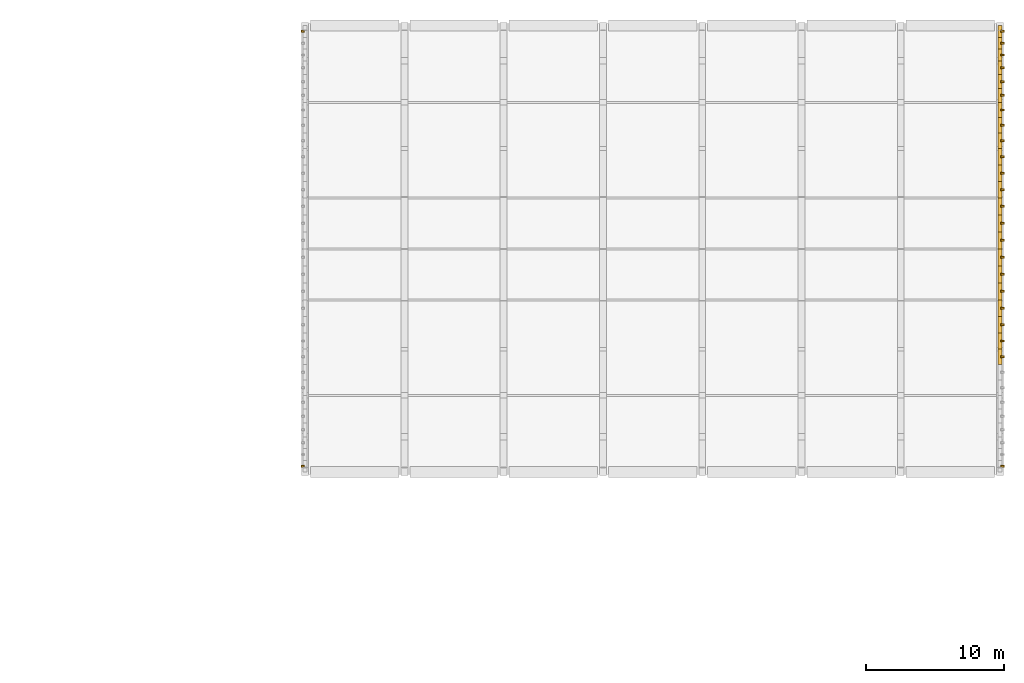
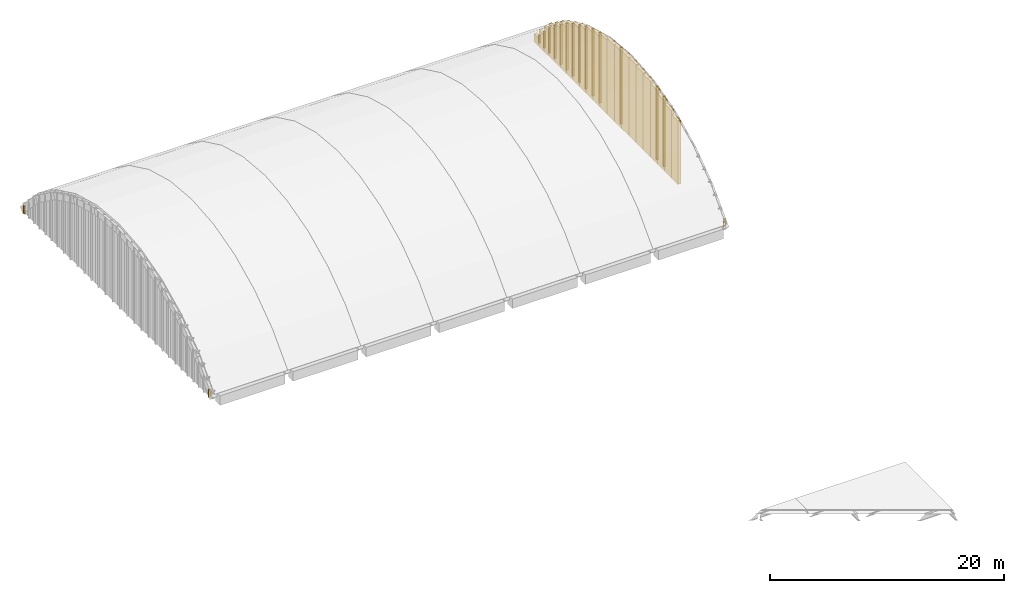
# One storey, part 16 of 16: 47 coverings.
"""IFC4 building model written with IfcOpenShell, lengths in metres."""

from ifc_helpers import new_model, si_unit, direction, frame, frame_2d, origin, origin_2d, place, context, subcontext, project, spatial, rectangle, extrude, material, layer, layer_set, type_object, element, save


model = new_model("IFC4")

# Units and contexts
model_context = context("Model", 3, precision=1e-05, world=origin(), true_north=direction((0.0, 1.0)))
body_context = subcontext(model_context, "Body", "Model", "MODEL_VIEW")
ifc_project = project(units=[si_unit("LENGTHUNIT", "METRE"), si_unit("AREAUNIT", "SQUARE_METRE"), si_unit("VOLUMEUNIT", "CUBIC_METRE"), si_unit("PLANEANGLEUNIT", "RADIAN"), si_unit("MASSUNIT", "GRAM", prefix="KILO")], contexts=[model_context])

# Site, building, storey
site_placement = place(None, origin())
site = spatial("IfcSite", under=ifc_project, at=site_placement, CompositionType="ELEMENT")
building_placement = place(site_placement, origin())
building = spatial("IfcBuilding", under=site, at=building_placement, Name="Sardonyx Promenade Sports Hall", CompositionType="ELEMENT")
storey_placement = place(building_placement, frame((0.0, 0.0, 24.800048828125)))
storey = spatial("IfcBuildingStorey", under=building, at=storey_placement, Name="RF", CompositionType="ELEMENT", Elevation=24.800048828125)

# Coverings
ifc_material_1 = material(Name="Glulam GL28h", Category="wood")
ifc_layer_1 = layer(ifc_material_1, 0.110107421875)
ifc_layer_set_1 = layer_set([ifc_layer_1], Name="Cov_Louvre_GL28h")
covering_type_1 = type_object("IfcCoveringType", Name="Cov_Louvre_GL28h", PredefinedType="MOLDING", material=ifc_layer_set_1)
for number, where, z_axis, x_axis, name in (
    (1, (28.6201171875, 72.427978515625, -4.419921875), (0.0, 0.0, 1.0), (1.0, 0.0, 0.0), "Tympanum vertical stone mullion V1-W #1"),
    (2, (28.6201171875, 103.97216796875, -4.419921875), (0.0, 0.0, 1.0), (1.0, 0.0, 0.0), "Tympanum vertical stone mullion V1-W #30"),
    (3, (79.3798828125, 72.427978515625, -4.419921875), (0.0, 0.0, 1.0), (1.0, 0.0, 0.0), "Tympanum vertical stone mullion V1-E #1"),
):
    element("IfcCovering", number, at=place(storey_placement, frame(where, z_axis=z_axis, x_axis=x_axis)), inside=storey, type_object=covering_type_1, Name=name, PredefinedType="MOLDING", context=body_context, shape_type="SweptSolid", body=[
        extrude(rectangle(XDim=0.219970703125, YDim=0.139892578125, at=origin_2d()), origin(), (0.0, 0.0, 1.0), 0.827392578125),
    ])
covering_1_placement = place(storey_placement, frame((79.3798828125, 80.36181640625, -4.419921875), z_axis=(0.0, 0.0, 1.0), x_axis=(1.0, 0.0, 0.0)))
element("IfcCovering", 4, at=covering_1_placement, inside=storey, type_object=covering_type_1, Name="Tympanum vertical stone mullion V1-E #9", PredefinedType="MOLDING", context=body_context, shape_type="SweptSolid", body=[
    extrude(rectangle(XDim=0.219970703125, YDim=0.139892578125, at=origin_2d()), origin(), (0.0, 0.0, 1.0), 6.590576171875),
])
covering_2_placement = place(storey_placement, frame((79.3798828125, 81.516357421875, -4.419921875), z_axis=(0.0, 0.0, 1.0), x_axis=(1.0, 0.0, 0.0)))
element("IfcCovering", 5, at=covering_2_placement, inside=storey, type_object=covering_type_1, Name="Tympanum vertical stone mullion V1-E #10", PredefinedType="MOLDING", context=body_context, shape_type="SweptSolid", body=[
    extrude(rectangle(XDim=0.219970703125, YDim=0.139892578125, at=origin_2d()), origin(), (0.0, 0.0, 1.0), 7.023681640625),
])
covering_3_placement = place(storey_placement, frame((79.3798828125, 82.7099609375, -4.419921875), z_axis=(0.0, 0.0, 1.0), x_axis=(1.0, 0.0, 0.0)))
element("IfcCovering", 6, at=covering_3_placement, inside=storey, type_object=covering_type_1, Name="Tympanum vertical stone mullion V1-E #11", PredefinedType="MOLDING", context=body_context, shape_type="SweptSolid", body=[
    extrude(rectangle(XDim=0.219970703125, YDim=0.139892578125, at=origin_2d()), origin(), (0.0, 0.0, 1.0), 7.35302734375),
])
covering_4_placement = place(storey_placement, frame((79.3798828125, 83.903564453125, -4.419921875), z_axis=(0.0, 0.0, 1.0), x_axis=(1.0, 0.0, 0.0)))
element("IfcCovering", 7, at=covering_4_placement, inside=storey, type_object=covering_type_1, Name="Tympanum vertical stone mullion V1-E #12", PredefinedType="MOLDING", context=body_context, shape_type="SweptSolid", body=[
    extrude(rectangle(XDim=0.219970703125, YDim=0.139892578125, at=origin_2d()), origin(), (0.0, 0.0, 1.0), 7.682373046875),
])
covering_5_placement = place(storey_placement, frame((79.3798828125, 85.116943359375, -4.419921875), z_axis=(0.0, 0.0, 1.0), x_axis=(1.0, 0.0, 0.0)))
element("IfcCovering", 8, at=covering_5_placement, inside=storey, type_object=covering_type_1, Name="Tympanum vertical stone mullion V1-E #13", PredefinedType="MOLDING", context=body_context, shape_type="SweptSolid", body=[
    extrude(rectangle(XDim=0.219970703125, YDim=0.139892578125, at=origin_2d()), origin(), (0.0, 0.0, 1.0), 7.902587890625),
])
covering_6_placement = place(storey_placement, frame((79.3798828125, 86.35009765625, -4.419921875), z_axis=(0.0, 0.0, 1.0), x_axis=(1.0, 0.0, 0.0)))
element("IfcCovering", 9, at=covering_6_placement, inside=storey, type_object=covering_type_1, Name="Tympanum vertical stone mullion V1-E #14", PredefinedType="MOLDING", context=body_context, shape_type="SweptSolid", body=[
    extrude(rectangle(XDim=0.219970703125, YDim=0.139892578125, at=origin_2d()), origin(), (0.0, 0.0, 1.0), 8.013427734375),
])
for number, where, z_axis, x_axis, name in (
    (10, (79.3798828125, 87.58349609375, -4.419921875), (0.0, 0.0, 1.0), (1.0, 0.0, 0.0), "Tympanum vertical stone mullion V1-E #15"),
    (11, (79.3798828125, 88.816650390625, -4.419921875), (0.0, 0.0, 1.0), (1.0, 0.0, 0.0), "Tympanum vertical stone mullion V1-E #16"),
):
    element("IfcCovering", number, at=place(storey_placement, frame(where, z_axis=z_axis, x_axis=x_axis)), inside=storey, type_object=covering_type_1, Name=name, PredefinedType="MOLDING", context=body_context, shape_type="SweptSolid", body=[
        extrude(rectangle(XDim=0.219970703125, YDim=0.139892578125, at=origin_2d()), origin(), (0.0, 0.0, 1.0), 8.12451171875),
    ])
covering_7_placement = place(storey_placement, frame((79.3798828125, 90.0498046875, -4.419921875), z_axis=(0.0, 0.0, 1.0), x_axis=(1.0, 0.0, 0.0)))
element("IfcCovering", 12, at=covering_7_placement, inside=storey, type_object=covering_type_1, Name="Tympanum vertical stone mullion V1-E #17", PredefinedType="MOLDING", context=body_context, shape_type="SweptSolid", body=[
    extrude(rectangle(XDim=0.219970703125, YDim=0.139892578125, at=origin_2d()), origin(), (0.0, 0.0, 1.0), 8.013427734375),
])
covering_8_placement = place(storey_placement, frame((79.3798828125, 91.282958984375, -4.419921875), z_axis=(0.0, 0.0, 1.0), x_axis=(1.0, 0.0, 0.0)))
element("IfcCovering", 13, at=covering_8_placement, inside=storey, type_object=covering_type_1, Name="Tympanum vertical stone mullion V1-E #18", PredefinedType="MOLDING", context=body_context, shape_type="SweptSolid", body=[
    extrude(rectangle(XDim=0.219970703125, YDim=0.139892578125, at=origin_2d()), origin(), (0.0, 0.0, 1.0), 7.902587890625),
])
covering_9_placement = place(storey_placement, frame((79.3798828125, 92.496337890625, -4.419921875), z_axis=(0.0, 0.0, 1.0), x_axis=(1.0, 0.0, 0.0)))
element("IfcCovering", 14, at=covering_9_placement, inside=storey, type_object=covering_type_1, Name="Tympanum vertical stone mullion V1-E #19", PredefinedType="MOLDING", context=body_context, shape_type="SweptSolid", body=[
    extrude(rectangle(XDim=0.219970703125, YDim=0.139892578125, at=origin_2d()), origin(), (0.0, 0.0, 1.0), 7.682373046875),
])
covering_10_placement = place(storey_placement, frame((79.3798828125, 93.68994140625, -4.419921875), z_axis=(0.0, 0.0, 1.0), x_axis=(1.0, 0.0, 0.0)))
element("IfcCovering", 15, at=covering_10_placement, inside=storey, type_object=covering_type_1, Name="Tympanum vertical stone mullion V1-E #20", PredefinedType="MOLDING", context=body_context, shape_type="SweptSolid", body=[
    extrude(rectangle(XDim=0.219970703125, YDim=0.139892578125, at=origin_2d()), origin(), (0.0, 0.0, 1.0), 7.35302734375),
])
covering_11_placement = place(storey_placement, frame((79.3798828125, 94.883544921875, -4.419921875), z_axis=(0.0, 0.0, 1.0), x_axis=(1.0, 0.0, 0.0)))
element("IfcCovering", 16, at=covering_11_placement, inside=storey, type_object=covering_type_1, Name="Tympanum vertical stone mullion V1-E #21", PredefinedType="MOLDING", context=body_context, shape_type="SweptSolid", body=[
    extrude(rectangle(XDim=0.219970703125, YDim=0.139892578125, at=origin_2d()), origin(), (0.0, 0.0, 1.0), 7.023681640625),
])
covering_12_placement = place(storey_placement, frame((79.3798828125, 96.0380859375, -4.419921875), z_axis=(0.0, 0.0, 1.0), x_axis=(1.0, 0.0, 0.0)))
element("IfcCovering", 17, at=covering_12_placement, inside=storey, type_object=covering_type_1, Name="Tympanum vertical stone mullion V1-E #22", PredefinedType="MOLDING", context=body_context, shape_type="SweptSolid", body=[
    extrude(rectangle(XDim=0.219970703125, YDim=0.139892578125, at=origin_2d()), origin(), (0.0, 0.0, 1.0), 6.590576171875),
])
covering_13_placement = place(storey_placement, frame((79.3798828125, 97.15380859375, -4.420166015625), z_axis=(0.0, 0.0, 1.0), x_axis=(1.0, 0.0, 0.0)))
element("IfcCovering", 18, at=covering_13_placement, inside=storey, type_object=covering_type_1, Name="Tympanum vertical stone mullion V1-E #23", PredefinedType="MOLDING", context=body_context, shape_type="SweptSolid", body=[
    extrude(rectangle(XDim=0.219970703125, YDim=0.139892578125, at=origin_2d()), origin(), (0.0, 0.0, 1.0), 6.05322265625),
])
covering_14_placement = place(storey_placement, frame((79.3798828125, 98.26953125, -4.419921875), z_axis=(0.0, 0.0, 1.0), x_axis=(1.0, 0.0, 0.0)))
element("IfcCovering", 19, at=covering_14_placement, inside=storey, type_object=covering_type_1, Name="Tympanum vertical stone mullion V1-E #24", PredefinedType="MOLDING", context=body_context, shape_type="SweptSolid", body=[
    extrude(rectangle(XDim=0.219970703125, YDim=0.139892578125, at=origin_2d()), origin(), (0.0, 0.0, 1.0), 5.51611328125),
])
covering_15_placement = place(storey_placement, frame((79.3798828125, 99.328125, -4.420166015625), z_axis=(0.0, 0.0, 1.0), x_axis=(1.0, 0.0, 0.0)))
element("IfcCovering", 20, at=covering_15_placement, inside=storey, type_object=covering_type_1, Name="Tympanum vertical stone mullion V1-E #25", PredefinedType="MOLDING", context=body_context, shape_type="SweptSolid", body=[
    extrude(rectangle(XDim=0.219970703125, YDim=0.139892578125, at=origin_2d()), origin(), (0.0, 0.0, 1.0), 4.8837890625),
])
covering_16_placement = place(storey_placement, frame((79.3798828125, 100.329833984375, -4.419921875), z_axis=(0.0, 0.0, 1.0), x_axis=(1.0, 0.0, 0.0)))
element("IfcCovering", 21, at=covering_16_placement, inside=storey, type_object=covering_type_1, Name="Tympanum vertical stone mullion V1-E #26", PredefinedType="MOLDING", context=body_context, shape_type="SweptSolid", body=[
    extrude(rectangle(XDim=0.219970703125, YDim=0.139892578125, at=origin_2d()), origin(), (0.0, 0.0, 1.0), 4.156005859375),
])
covering_17_placement = place(storey_placement, frame((79.3798828125, 101.331787109375, -4.419921875), z_axis=(0.0, 0.0, 1.0), x_axis=(1.0, 0.0, 0.0)))
element("IfcCovering", 22, at=covering_17_placement, inside=storey, type_object=covering_type_1, Name="Tympanum vertical stone mullion V1-E #27", PredefinedType="MOLDING", context=body_context, shape_type="SweptSolid", body=[
    extrude(rectangle(XDim=0.219970703125, YDim=0.139892578125, at=origin_2d()), origin(), (0.0, 0.0, 1.0), 3.428466796875),
])
covering_18_placement = place(storey_placement, frame((79.3798828125, 102.260498046875, -4.420166015625), z_axis=(0.0, 0.0, 1.0), x_axis=(1.0, 0.0, 0.0)))
element("IfcCovering", 23, at=covering_18_placement, inside=storey, type_object=covering_type_1, Name="Tympanum vertical stone mullion V1-E #28", PredefinedType="MOLDING", context=body_context, shape_type="SweptSolid", body=[
    extrude(rectangle(XDim=0.219970703125, YDim=0.139892578125, at=origin_2d()), origin(), (0.0, 0.0, 1.0), 2.6171875),
])
covering_19_placement = place(storey_placement, frame((79.3798828125, 103.1162109375, -4.419921875), z_axis=(0.0, 0.0, 1.0), x_axis=(1.0, 0.0, 0.0)))
element("IfcCovering", 24, at=covering_19_placement, inside=storey, type_object=covering_type_1, Name="Tympanum vertical stone mullion V1-E #29", PredefinedType="MOLDING", context=body_context, shape_type="SweptSolid", body=[
    extrude(rectangle(XDim=0.219970703125, YDim=0.139892578125, at=origin_2d()), origin(), (0.0, 0.0, 1.0), 1.722412109375),
])
covering_20_placement = place(storey_placement, frame((79.3798828125, 103.97216796875, -4.419921875), z_axis=(0.0, 0.0, 1.0), x_axis=(1.0, 0.0, 0.0)))
element("IfcCovering", 25, at=covering_20_placement, inside=storey, type_object=covering_type_1, Name="Tympanum vertical stone mullion V1-E #30", PredefinedType="MOLDING", context=body_context, shape_type="SweptSolid", body=[
    extrude(rectangle(XDim=0.219970703125, YDim=0.139892578125, at=origin_2d()), origin(), (0.0, 0.0, 1.0), 0.827392578125),
])
ifc_material_2 = material(Name="Carved Cape red sandstone ashlar", Category="masonry")
ifc_layer_2 = layer(ifc_material_2, 0.239990234375)
ifc_layer_set_2 = layer_set([ifc_layer_2], Name="Cov_Mughal_Arch")
covering_type_2 = type_object("IfcCoveringType", Name="Cov_Mughal_Arch", PredefinedType="CLADDING", material=ifc_layer_set_2)
covering_21_placement = place(storey_placement, frame((79.199951171875, 79.803955078125, -4.420166015625), z_axis=(0.0, 0.0, 1.0), x_axis=(0.0, 1.0, 0.0)))
element("IfcCovering", 26, at=covering_21_placement, inside=storey, type_object=covering_type_2, Name="Barrel-vault arched tympanum V1-E #9", PredefinedType="CLADDING", context=body_context, shape_type="SweptSolid", body=[
    extrude(rectangle(XDim=1.11572265625, YDim=0.280029296875, at=frame_2d((0.557861328125, 0.0))), origin(), (0.0, 0.0, 1.0), 6.590576171875),
])
covering_22_placement = place(storey_placement, frame((79.199951171875, 80.919677734375, -4.420166015625), z_axis=(0.0, 0.0, 1.0), x_axis=(0.0, 1.0, 0.0)))
element("IfcCovering", 27, at=covering_22_placement, inside=storey, type_object=covering_type_2, Name="Barrel-vault arched tympanum V1-E #10", PredefinedType="CLADDING", context=body_context, shape_type="SweptSolid", body=[
    extrude(rectangle(XDim=1.193603515625, YDim=0.280029296875, at=frame_2d((0.5966796875, 0.0))), origin(), (0.0, 0.0, 1.0), 7.02392578125),
])
covering_23_placement = place(storey_placement, frame((79.199951171875, 82.11328125, -4.420166015625), z_axis=(0.0, 0.0, 1.0), x_axis=(0.0, 1.0, 0.0)))
element("IfcCovering", 28, at=covering_23_placement, inside=storey, type_object=covering_type_2, Name="Barrel-vault arched tympanum V1-E #11", PredefinedType="CLADDING", context=body_context, shape_type="SweptSolid", body=[
    extrude(rectangle(XDim=1.193603515625, YDim=0.280029296875, at=frame_2d((0.5966796875, 0.0))), origin(), (0.0, 0.0, 1.0), 7.353271484375),
])
covering_24_placement = place(storey_placement, frame((79.199951171875, 83.306884765625, -4.420166015625), z_axis=(0.0, 0.0, 1.0), x_axis=(0.0, 1.0, 0.0)))
element("IfcCovering", 29, at=covering_24_placement, inside=storey, type_object=covering_type_2, Name="Barrel-vault arched tympanum V1-E #12", PredefinedType="CLADDING", context=body_context, shape_type="SweptSolid", body=[
    extrude(rectangle(XDim=1.193603515625, YDim=0.280029296875, at=frame_2d((0.5966796875, 0.0))), origin(), (0.0, 0.0, 1.0), 7.6826171875),
])
covering_25_placement = place(storey_placement, frame((79.199951171875, 84.50048828125, -4.420166015625), z_axis=(0.0, 0.0, 1.0), x_axis=(0.0, 1.0, 0.0)))
element("IfcCovering", 30, at=covering_25_placement, inside=storey, type_object=covering_type_2, Name="Barrel-vault arched tympanum V1-E #13", PredefinedType="CLADDING", context=body_context, shape_type="SweptSolid", body=[
    extrude(rectangle(XDim=1.233154296875, YDim=0.280029296875, at=frame_2d((0.61669921875, 0.0))), origin(), (0.0, 0.0, 1.0), 7.90283203125),
])
covering_26_placement = place(storey_placement, frame((79.199951171875, 85.733642578125, -4.420166015625), z_axis=(0.0, 0.0, 1.0), x_axis=(0.0, 1.0, 0.0)))
element("IfcCovering", 31, at=covering_26_placement, inside=storey, type_object=covering_type_2, Name="Barrel-vault arched tympanum V1-E #14", PredefinedType="CLADDING", context=body_context, shape_type="SweptSolid", body=[
    extrude(rectangle(XDim=1.233154296875, YDim=0.280029296875, at=frame_2d((0.61669921875, 0.0))), origin(), (0.0, 0.0, 1.0), 8.013671875),
])
for number, where, z_axis, x_axis, name in (
    (32, (79.199951171875, 86.966796875, -4.420166015625), (0.0, 0.0, 1.0), (0.0, 1.0, 0.0), "Barrel-vault arched tympanum V1-E #15"),
    (33, (79.199951171875, 88.199951171875, -4.420166015625), (0.0, 0.0, 1.0), (0.0, 1.0, 0.0), "Barrel-vault arched tympanum V1-E #16"),
):
    element("IfcCovering", number, at=place(storey_placement, frame(where, z_axis=z_axis, x_axis=x_axis)), inside=storey, type_object=covering_type_2, Name=name, PredefinedType="CLADDING", context=body_context, shape_type="SweptSolid", body=[
        extrude(rectangle(XDim=1.233154296875, YDim=0.280029296875, at=frame_2d((0.61669921875, 0.0))), origin(), (0.0, 0.0, 1.0), 8.12451171875),
    ])
covering_27_placement = place(storey_placement, frame((79.199951171875, 89.43310546875, -4.420166015625), z_axis=(0.0, 0.0, 1.0), x_axis=(0.0, 1.0, 0.0)))
element("IfcCovering", 34, at=covering_27_placement, inside=storey, type_object=covering_type_2, Name="Barrel-vault arched tympanum V1-E #17", PredefinedType="CLADDING", context=body_context, shape_type="SweptSolid", body=[
    extrude(rectangle(XDim=1.2333984375, YDim=0.280029296875, at=frame_2d((0.61669921875, 0.0))), origin(), (0.0, 0.0, 1.0), 8.013671875),
])
covering_28_placement = place(storey_placement, frame((79.199951171875, 90.66650390625, -4.420166015625), z_axis=(0.0, 0.0, 1.0), x_axis=(0.0, 1.0, 0.0)))
element("IfcCovering", 35, at=covering_28_placement, inside=storey, type_object=covering_type_2, Name="Barrel-vault arched tympanum V1-E #18", PredefinedType="CLADDING", context=body_context, shape_type="SweptSolid", body=[
    extrude(rectangle(XDim=1.233154296875, YDim=0.280029296875, at=frame_2d((0.61669921875, 0.0))), origin(), (0.0, 0.0, 1.0), 7.90283203125),
])
covering_29_placement = place(storey_placement, frame((79.199951171875, 91.899658203125, -4.420166015625), z_axis=(0.0, 0.0, 1.0), x_axis=(0.0, 1.0, 0.0)))
element("IfcCovering", 36, at=covering_29_placement, inside=storey, type_object=covering_type_2, Name="Barrel-vault arched tympanum V1-E #19", PredefinedType="CLADDING", context=body_context, shape_type="SweptSolid", body=[
    extrude(rectangle(XDim=1.193603515625, YDim=0.280029296875, at=frame_2d((0.5966796875, 0.0))), origin(), (0.0, 0.0, 1.0), 7.6826171875),
])
covering_30_placement = place(storey_placement, frame((79.199951171875, 93.09326171875, -4.420166015625), z_axis=(0.0, 0.0, 1.0), x_axis=(0.0, 1.0, 0.0)))
element("IfcCovering", 37, at=covering_30_placement, inside=storey, type_object=covering_type_2, Name="Barrel-vault arched tympanum V1-E #20", PredefinedType="CLADDING", context=body_context, shape_type="SweptSolid", body=[
    extrude(rectangle(XDim=1.193603515625, YDim=0.280029296875, at=frame_2d((0.5966796875, 0.0))), origin(), (0.0, 0.0, 1.0), 7.353271484375),
])
covering_31_placement = place(storey_placement, frame((79.199951171875, 94.286865234375, -4.420166015625), z_axis=(0.0, 0.0, 1.0), x_axis=(0.0, 1.0, 0.0)))
element("IfcCovering", 38, at=covering_31_placement, inside=storey, type_object=covering_type_2, Name="Barrel-vault arched tympanum V1-E #21", PredefinedType="CLADDING", context=body_context, shape_type="SweptSolid", body=[
    extrude(rectangle(XDim=1.193603515625, YDim=0.280029296875, at=frame_2d((0.5966796875, 0.0))), origin(), (0.0, 0.0, 1.0), 7.02392578125),
])
covering_32_placement = place(storey_placement, frame((79.199951171875, 95.48046875, -4.420166015625), z_axis=(0.0, 0.0, 1.0), x_axis=(0.0, 1.0, 0.0)))
element("IfcCovering", 39, at=covering_32_placement, inside=storey, type_object=covering_type_2, Name="Barrel-vault arched tympanum V1-E #22", PredefinedType="CLADDING", context=body_context, shape_type="SweptSolid", body=[
    extrude(rectangle(XDim=1.115478515625, YDim=0.280029296875, at=frame_2d((0.5576171875, 0.0))), origin(), (0.0, 0.0, 1.0), 6.590576171875),
])
covering_33_placement = place(storey_placement, frame((79.199951171875, 96.595947265625, -4.420166015625), z_axis=(0.0, 0.0, 1.0), x_axis=(0.0, 1.0, 0.0)))
element("IfcCovering", 40, at=covering_33_placement, inside=storey, type_object=covering_type_2, Name="Barrel-vault arched tympanum V1-E #23", PredefinedType="CLADDING", context=body_context, shape_type="SweptSolid", body=[
    extrude(rectangle(XDim=1.11572265625, YDim=0.280029296875, at=frame_2d((0.557861328125, 0.0))), origin(), (0.0, 0.0, 1.0), 6.053466796875),
])
covering_34_placement = place(storey_placement, frame((79.199951171875, 97.711669921875, -4.420166015625), z_axis=(0.0, 0.0, 1.0), x_axis=(0.0, 1.0, 0.0)))
element("IfcCovering", 41, at=covering_34_placement, inside=storey, type_object=covering_type_2, Name="Barrel-vault arched tympanum V1-E #24", PredefinedType="CLADDING", context=body_context, shape_type="SweptSolid", body=[
    extrude(rectangle(XDim=1.115478515625, YDim=0.280029296875, at=frame_2d((0.5576171875, 0.0))), origin(), (0.0, 0.0, 1.0), 5.516357421875),
])
covering_35_placement = place(storey_placement, frame((79.199951171875, 98.8271484375, -4.420166015625), z_axis=(0.0, 0.0, 1.0), x_axis=(0.0, 1.0, 0.0)))
element("IfcCovering", 42, at=covering_35_placement, inside=storey, type_object=covering_type_2, Name="Barrel-vault arched tympanum V1-E #25", PredefinedType="CLADDING", context=body_context, shape_type="SweptSolid", body=[
    extrude(rectangle(XDim=1.001953125, YDim=0.280029296875, at=frame_2d((0.5009765625, 0.0))), origin(), (0.0, 0.0, 1.0), 4.8837890625),
])
covering_36_placement = place(storey_placement, frame((79.199951171875, 99.8291015625, -4.420166015625), z_axis=(0.0, 0.0, 1.0), x_axis=(0.0, 1.0, 0.0)))
element("IfcCovering", 43, at=covering_36_placement, inside=storey, type_object=covering_type_2, Name="Barrel-vault arched tympanum V1-E #26", PredefinedType="CLADDING", context=body_context, shape_type="SweptSolid", body=[
    extrude(rectangle(XDim=1.001708984375, YDim=0.280029296875, at=frame_2d((0.5009765625, 0.0))), origin(), (0.0, 0.0, 1.0), 4.15625),
])
covering_37_placement = place(storey_placement, frame((79.199951171875, 100.830810546875, -4.420166015625), z_axis=(0.0, 0.0, 1.0), x_axis=(0.0, 1.0, 0.0)))
element("IfcCovering", 44, at=covering_37_placement, inside=storey, type_object=covering_type_2, Name="Barrel-vault arched tympanum V1-E #27", PredefinedType="CLADDING", context=body_context, shape_type="SweptSolid", body=[
    extrude(rectangle(XDim=1.001708984375, YDim=0.280029296875, at=frame_2d((0.5009765625, 0.0))), origin(), (0.0, 0.0, 1.0), 3.428466796875),
])
covering_38_placement = place(storey_placement, frame((79.199951171875, 101.83251953125, -4.420166015625), z_axis=(0.0, 0.0, 1.0), x_axis=(0.0, 1.0, 0.0)))
element("IfcCovering", 45, at=covering_38_placement, inside=storey, type_object=covering_type_2, Name="Barrel-vault arched tympanum V1-E #28", PredefinedType="CLADDING", context=body_context, shape_type="SweptSolid", body=[
    extrude(rectangle(XDim=0.85595703125, YDim=0.280029296875, at=frame_2d((0.427978515625, 0.0))), origin(), (0.0, 0.0, 1.0), 2.6171875),
])
covering_39_placement = place(storey_placement, frame((79.199951171875, 102.6884765625, -4.420166015625), z_axis=(0.0, 0.0, 1.0), x_axis=(0.0, 1.0, 0.0)))
element("IfcCovering", 46, at=covering_39_placement, inside=storey, type_object=covering_type_2, Name="Barrel-vault arched tympanum V1-E #29", PredefinedType="CLADDING", context=body_context, shape_type="SweptSolid", body=[
    extrude(rectangle(XDim=0.855712890625, YDim=0.280029296875, at=frame_2d((0.427734375, 0.0))), origin(), (0.0, 0.0, 1.0), 1.722412109375),
])
covering_40_placement = place(storey_placement, frame((79.199951171875, 103.544189453125, -4.420166015625), z_axis=(0.0, 0.0, 1.0), x_axis=(0.0, 1.0, 0.0)))
element("IfcCovering", 47, at=covering_40_placement, inside=storey, type_object=covering_type_2, Name="Barrel-vault arched tympanum V1-E #30", PredefinedType="CLADDING", context=body_context, shape_type="SweptSolid", body=[
    extrude(rectangle(XDim=0.855712890625, YDim=0.280029296875, at=frame_2d((0.427734375, 0.0))), origin(), (0.0, 0.0, 1.0), 0.82763671875),
])

save(model, "model.ifc")
